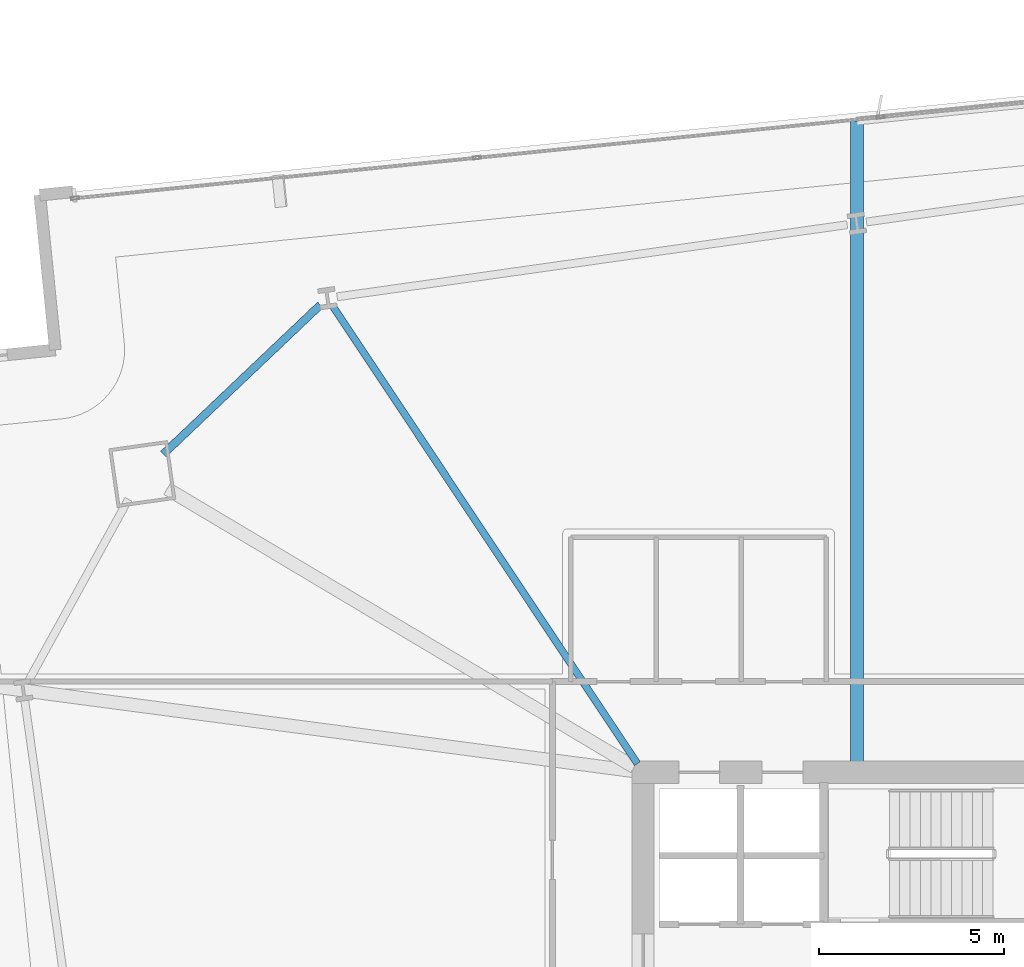
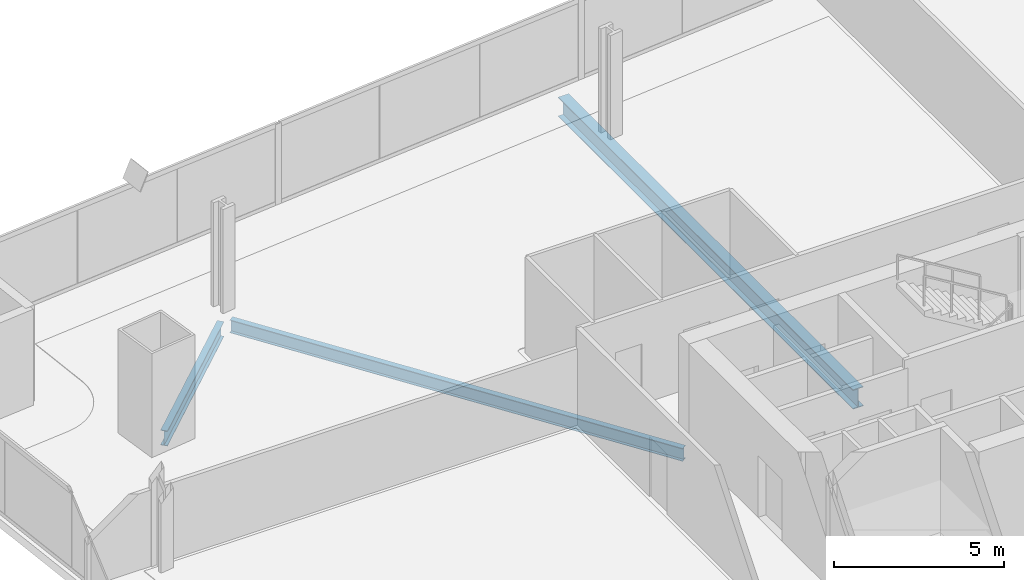
# One storey, part 17 of 33: 3 beams.
"""IFC4 building model written with IfcOpenShell, lengths in metres."""

from ifc_helpers import new_model, si_unit, direction, frame, origin, origin_2d, place, context, subcontext, project, spatial, i_section, extrude, material, material_profile, profile_set, type_object, element, save


model = new_model("IFC4")

# Units and contexts
model_context = context("Model", 3, precision=1e-05, world=origin(), true_north=direction((0.0, 1.0)))
body_context = subcontext(model_context, "Body", "Model", "MODEL_VIEW")
ifc_project = project(units=[si_unit("LENGTHUNIT", "METRE"), si_unit("AREAUNIT", "SQUARE_METRE"), si_unit("VOLUMEUNIT", "CUBIC_METRE"), si_unit("PLANEANGLEUNIT", "RADIAN"), si_unit("MASSUNIT", "GRAM", prefix="KILO")], contexts=[model_context])

# Site, building, storey
site_placement = place(None, origin())
site = spatial("IfcSite", under=ifc_project, at=site_placement, CompositionType="ELEMENT")
building_placement = place(site_placement, origin())
building = spatial("IfcBuilding", under=site, at=building_placement, Name="Haldenkirk Collegiate Tower", CompositionType="ELEMENT")
storey_placement = place(building_placement, frame((0.0, 0.0, 47.699951171875)))
storey = spatial("IfcBuildingStorey", under=building, at=storey_placement, Name="L10", CompositionType="ELEMENT", Elevation=47.699951171875)

# Beams
ifc_material = material(Name="Steel ASTM A992 Grade 50", Category="steel")
ifc_material_profile_1 = material_profile(ifc_material, i_section(OverallWidth=0.35498046875, OverallDepth=0.696044921875, WebThickness=0.015380859375, FlangeThickness=0.02490234375, at=origin_2d()), Name="W27X146")
ifc_profile_set_1 = profile_set([ifc_material_profile_1], Name="Steel ASTM A992 Grade 50")
beam_type_1 = type_object("IfcBeamType", Name="BM-GIRDER-W27X146", PredefinedType="BEAM", material=ifc_profile_set_1)
beam_1_placement = place(storey_placement, frame((32.772216796875, 51.58544921875, -0.657958984375), z_axis=(0.0, -1.0, 0.0), x_axis=(1.0, 0.0, 0.0)))
element("IfcBeam", 1, at=beam_1_placement, inside=storey, type_object=beam_type_1, Name="L10 primary floor girder 12", PredefinedType="BEAM", context=body_context, shape_type="SweptSolid", body=[
    extrude(i_section(OverallWidth=0.35498046875, OverallDepth=0.696044921875, WebThickness=0.015380859375, FlangeThickness=0.02490234375, at=origin_2d()), origin(), (0.0, 0.0, 1.0), 17.305419921875),
])
ifc_material_profile_2 = material_profile(ifc_material, i_section(OverallWidth=0.19189453125, OverallDepth=0.462890625, WebThickness=0.010498046875, FlangeThickness=0.017578125, at=origin_2d()), Name="W18X60")
ifc_profile_set_2 = profile_set([ifc_material_profile_2], Name="Steel ASTM A992 Grade 50")
beam_type_2 = type_object("IfcBeamType", Name="BM-JOIST-W18X60", PredefinedType="JOIST", material=ifc_profile_set_2)
beam_2_placement = place(storey_placement, frame((18.625, 46.5810546875, -0.54150390625), z_axis=(0.554130343162, -0.83242991464, 0.0), x_axis=(0.83242991464, 0.554130343162, 0.0)))
element("IfcBeam", 2, at=beam_2_placement, inside=storey, type_object=beam_type_2, Name="L10 composite floor joist 13", PredefinedType="JOIST", context=body_context, shape_type="SweptSolid", body=[
    extrude(i_section(OverallWidth=0.19189453125, OverallDepth=0.462890625, WebThickness=0.010498046875, FlangeThickness=0.017578125, at=origin_2d()), origin(), (0.0, 0.0, 1.0), 14.83349609375),
])
ifc_material_profile_3 = material_profile(ifc_material, i_section(OverallWidth=0.2119140625, OverallDepth=0.5439453125, WebThickness=0.01318359375, FlangeThickness=0.021240234375, at=origin_2d()), Name="W21X83")
ifc_profile_set_3 = profile_set([ifc_material_profile_3], Name="Steel ASTM A992 Grade 50")
beam_type_3 = type_object("IfcBeamType", Name="BM-SPANDREL-W21X83", PredefinedType="SPANDREL", material=ifc_profile_set_3)
beam_3_placement = place(storey_placement, frame((18.28662109375, 46.619140625, -0.58203125), z_axis=(-0.725132817178, -0.688609030911, 0.0), x_axis=(0.688609030911, -0.725132817178, 0.0)))
element("IfcBeam", 3, at=beam_3_placement, inside=storey, type_object=beam_type_3, Name="L10 perimeter spandrel beam 12", PredefinedType="SPANDREL", context=body_context, shape_type="SweptSolid", body=[
    extrude(i_section(OverallWidth=0.2119140625, OverallDepth=0.5439453125, WebThickness=0.01318359375, FlangeThickness=0.021240234375, at=origin_2d()), origin(), (0.0, 0.0, 1.0), 5.848876953125),
])

save(model, "model.ifc")
